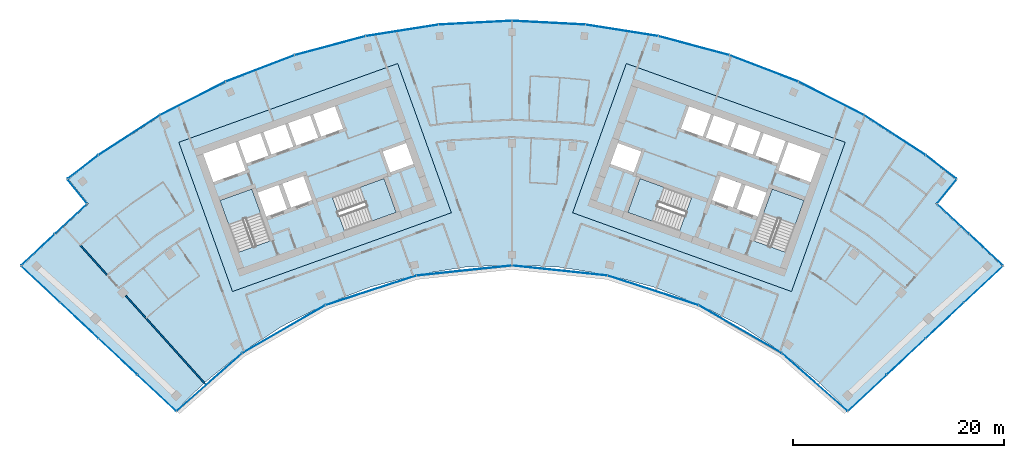
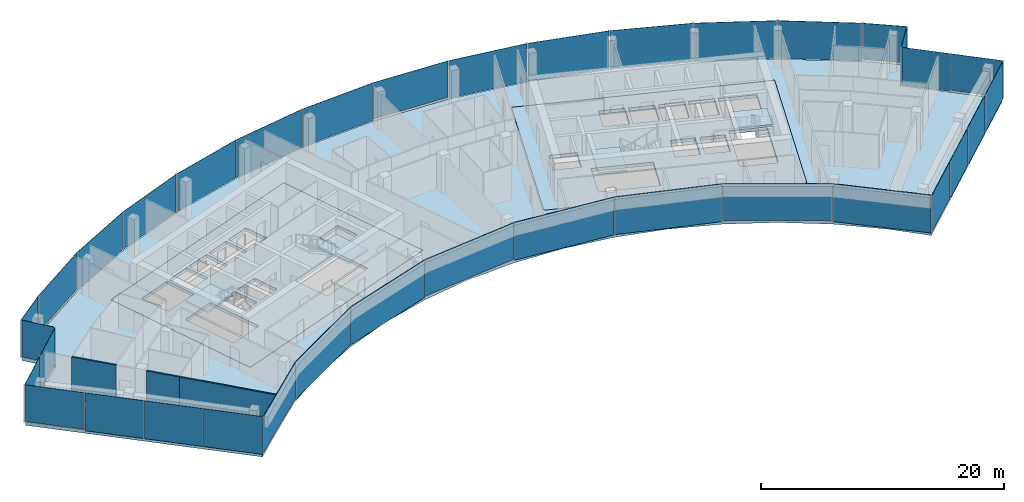
# One storey, part 11 of 18: 36 plates, 7 slabs, 3 walls, 12 elements without a shape of their own.
"""IFC4 building model written with IfcOpenShell, lengths in metres."""

from ifc_helpers import new_model, si_unit, direction, frame, frame_2d, origin, origin_2d, place, context, subcontext, project, spatial, polyline, rectangle, outline, extrude, material, layer, layer_set, type_object, element, aggregate, save


model = new_model("IFC4")

# Units and contexts
model_context = context("Model", 3, precision=1e-05, world=origin(), true_north=direction((0.0, 1.0)))
body_context = subcontext(model_context, "Body", "Model", "MODEL_VIEW")
ifc_project = project(units=[si_unit("LENGTHUNIT", "METRE"), si_unit("AREAUNIT", "SQUARE_METRE"), si_unit("VOLUMEUNIT", "CUBIC_METRE"), si_unit("PLANEANGLEUNIT", "RADIAN"), si_unit("MASSUNIT", "GRAM", prefix="KILO")], contexts=[model_context])

# Site, building, storey
site_placement = place(None, origin())
site = spatial("IfcSite", under=ifc_project, at=site_placement, CompositionType="ELEMENT")
building_placement = place(site_placement, origin())
building = spatial("IfcBuilding", under=site, at=building_placement, Name="Stone Belt Terrace Tower", CompositionType="ELEMENT")
storey_placement = place(building_placement, frame((0.0, 0.0, 273.199951171875)))
storey = spatial("IfcBuildingStorey", under=building, at=storey_placement, Name="L66", CompositionType="ELEMENT", Elevation=273.199951171875)

# Curtain wall, plates
ifc_material_1 = material(Name="Aluminium 6063-T6 anodised frame", Category="aluminium")
ifc_layer_1 = layer(ifc_material_1, 0.14990234375)
ifc_layer_set_1 = layer_set([ifc_layer_1], Name="CW-A unitised convex-face curtain wall")
curtain_wall_type_1 = type_object("IfcCurtainWallType", Name="CW-A unitised convex-face curtain wall", PredefinedType="NOTDEFINED", material=ifc_layer_set_1)
curtain_wall_1_placement = place(storey_placement, origin())
curtain_wall_1 = element("IfcCurtainWall", 1, at=curtain_wall_1_placement, inside=storey, type_object=curtain_wall_type_1, Name="CW-A convex face L66", PredefinedType="NOTDEFINED")
ifc_material_2 = material(Name="Clear double glazed unit")
ifc_layer_2 = layer(ifc_material_2, 0.031982421875)
ifc_layer_set_2 = layer_set([ifc_layer_2], Name="CW-A glass panel 32")
plate_type_1 = type_object("IfcPlateType", Name="CW-A glass panel 32", PredefinedType="CURTAIN_PANEL", material=ifc_layer_set_2)
plate_1_placement = place(storey_placement, frame((40.583251953125, 52.744140625, 0.14013671875), z_axis=(0.0, 0.0, 1.0), x_axis=(-0.792693871824, 0.60961990254, 0.0)))
plate_1 = element("IfcPlate", 2, at=plate_1_placement, type_object=plate_type_1, Name="CW-A panel 1.1", PredefinedType="CURTAIN_PANEL", context=body_context, shape_type="SweptSolid", body=[
    extrude(rectangle(XDim=3.597900390625, YDim=0.031982421875, at=origin_2d()), origin(), (0.0, 0.0, 1.0), 3.659912109375),
])
plate_2_placement = place(storey_placement, frame((36.209716796875, 55.758056640625, 0.0), z_axis=(0.0, 0.0, 1.0), x_axis=(-0.838670567945, 0.544639035015, 0.0)))
plate_2 = element("IfcPlate", 3, at=plate_2_placement, type_object=plate_type_1, Name="CW-A panel 2.1", PredefinedType="CURTAIN_PANEL", context=body_context, shape_type="SweptSolid", body=[
    extrude(rectangle(XDim=6.900634765625, YDim=0.031982421875, at=origin_2d()), origin(), (0.0, 0.0, 1.0), 3.800048828125),
])
plate_3_placement = place(storey_placement, frame((30.18310546875, 59.237548828125, 0.0), z_axis=(0.0, 0.0, 1.0), x_axis=(-0.891006524188, 0.45399049974, 0.0)))
plate_3 = element("IfcPlate", 4, at=plate_3_placement, type_object=plate_type_1, Name="CW-A panel 3.1", PredefinedType="CURTAIN_PANEL", context=body_context, shape_type="SweptSolid", body=[
    extrude(rectangle(XDim=6.90087890625, YDim=0.031982421875, at=origin_2d()), origin(), (0.0, 0.0, 1.0), 3.800048828125),
])
plate_4_placement = place(storey_placement, frame((23.82568359375, 62.068115234375, 0.0), z_axis=(0.0, 0.0, 1.0), x_axis=(-0.933580426497, 0.358367949545, 0.0)))
plate_4 = element("IfcPlate", 5, at=plate_4_placement, type_object=plate_type_1, Name="CW-A panel 4.1", PredefinedType="CURTAIN_PANEL", context=body_context, shape_type="SweptSolid", body=[
    extrude(rectangle(XDim=6.90087890625, YDim=0.031982421875, at=origin_2d()), origin(), (0.0, 0.0, 1.0), 3.800048828125),
])
plate_5_placement = place(storey_placement, frame((17.207275390625, 64.218505859375, 0.0), z_axis=(0.0, 0.0, 1.0), x_axis=(-0.965925826289, 0.258819045103, 0.0)))
plate_5 = element("IfcPlate", 6, at=plate_5_placement, type_object=plate_type_1, Name="CW-A panel 5.1", PredefinedType="CURTAIN_PANEL", context=body_context, shape_type="SweptSolid", body=[
    extrude(rectangle(XDim=6.90087890625, YDim=0.031982421875, at=origin_2d()), origin(), (0.0, 0.0, 1.0), 3.800048828125),
])
plate_6_placement = place(storey_placement, frame((10.400390625, 65.665283203125, 0.0), z_axis=(0.0, 0.0, 1.0), x_axis=(-0.987688340595, 0.15643446504, 0.0)))
plate_6 = element("IfcPlate", 7, at=plate_6_placement, type_object=plate_type_1, Name="CW-A panel 6.1", PredefinedType="CURTAIN_PANEL", context=body_context, shape_type="SweptSolid", body=[
    extrude(rectangle(XDim=6.90087890625, YDim=0.031982421875, at=origin_2d()), origin(), (0.0, 0.0, 1.0), 3.800048828125),
])
plate_7_placement = place(storey_placement, frame((3.4794921875, 66.392822265625, 0.14013671875), z_axis=(0.0, 0.0, 1.0), x_axis=(-0.998629534755, 0.052335956243, 0.0)))
plate_7 = element("IfcPlate", 8, at=plate_7_placement, type_object=plate_type_1, Name="CW-A panel 7.1", PredefinedType="CURTAIN_PANEL", context=body_context, shape_type="SweptSolid", body=[
    extrude(rectangle(XDim=6.90087890625, YDim=0.031982421875, at=origin_2d()), origin(), (0.0, 0.0, 1.0), 3.659912109375),
])
plate_8_placement = place(storey_placement, frame((-3.4794921875, 66.392822265625, 0.0), z_axis=(0.0, 0.0, 1.0), x_axis=(-0.998629534755, -0.052335956243, 0.0)))
plate_8 = element("IfcPlate", 9, at=plate_8_placement, type_object=plate_type_1, Name="CW-A panel 8.1", PredefinedType="CURTAIN_PANEL", context=body_context, shape_type="SweptSolid", body=[
    extrude(rectangle(XDim=6.90087890625, YDim=0.031982421875, at=origin_2d()), origin(), (0.0, 0.0, 1.0), 3.800048828125),
])
plate_9_placement = place(storey_placement, frame((-10.400390625, 65.665283203125, 0.0), z_axis=(0.0, 0.0, 1.0), x_axis=(-0.987688340595, -0.15643446504, 0.0)))
plate_9 = element("IfcPlate", 10, at=plate_9_placement, type_object=plate_type_1, Name="CW-A panel 9.1", PredefinedType="CURTAIN_PANEL", context=body_context, shape_type="SweptSolid", body=[
    extrude(rectangle(XDim=6.90087890625, YDim=0.031982421875, at=origin_2d()), origin(), (0.0, 0.0, 1.0), 3.800048828125),
])
plate_10_placement = place(storey_placement, frame((-17.207275390625, 64.218505859375, 0.0), z_axis=(0.0, 0.0, 1.0), x_axis=(-0.965925826289, -0.258819045103, 0.0)))
plate_10 = element("IfcPlate", 11, at=plate_10_placement, type_object=plate_type_1, Name="CW-A panel 10.1", PredefinedType="CURTAIN_PANEL", context=body_context, shape_type="SweptSolid", body=[
    extrude(rectangle(XDim=6.90087890625, YDim=0.031982421875, at=origin_2d()), origin(), (0.0, 0.0, 1.0), 3.800048828125),
])
plate_11_placement = place(storey_placement, frame((-23.82568359375, 62.068115234375, 0.0), z_axis=(0.0, 0.0, 1.0), x_axis=(-0.933580426497, -0.358367949545, 0.0)))
plate_11 = element("IfcPlate", 12, at=plate_11_placement, type_object=plate_type_1, Name="CW-A panel 11.1", PredefinedType="CURTAIN_PANEL", context=body_context, shape_type="SweptSolid", body=[
    extrude(rectangle(XDim=6.90087890625, YDim=0.031982421875, at=origin_2d()), origin(), (0.0, 0.0, 1.0), 3.800048828125),
])
plate_12_placement = place(storey_placement, frame((-30.18310546875, 59.237548828125, 0.0), z_axis=(0.0, 0.0, 1.0), x_axis=(-0.891006524188, -0.45399049974, 0.0)))
plate_12 = element("IfcPlate", 13, at=plate_12_placement, type_object=plate_type_1, Name="CW-A panel 12.1", PredefinedType="CURTAIN_PANEL", context=body_context, shape_type="SweptSolid", body=[
    extrude(rectangle(XDim=6.90087890625, YDim=0.031982421875, at=origin_2d()), origin(), (0.0, 0.0, 1.0), 3.800048828125),
])
plate_13_placement = place(storey_placement, frame((-36.209716796875, 55.758056640625, 0.14013671875), z_axis=(0.0, 0.0, 1.0), x_axis=(-0.838670567945, -0.544639035015, 0.0)))
plate_13 = element("IfcPlate", 14, at=plate_13_placement, type_object=plate_type_1, Name="CW-A panel 13.1", PredefinedType="CURTAIN_PANEL", context=body_context, shape_type="SweptSolid", body=[
    extrude(rectangle(XDim=6.900634765625, YDim=0.031982421875, at=origin_2d()), origin(), (0.0, 0.0, 1.0), 3.659912109375),
])
plate_14_placement = place(storey_placement, frame((-40.583251953125, 52.744140625, 0.0), z_axis=(0.0, 0.0, 1.0), x_axis=(-0.792693871824, -0.60961990254, 0.0)))
plate_14 = element("IfcPlate", 15, at=plate_14_placement, type_object=plate_type_1, Name="CW-A panel 14.1", PredefinedType="CURTAIN_PANEL", context=body_context, shape_type="SweptSolid", body=[
    extrude(rectangle(XDim=3.597900390625, YDim=0.031982421875, at=origin_2d()), origin(), (0.0, 0.0, 1.0), 3.800048828125),
])
aggregate(curtain_wall_1, [plate_1, plate_2, plate_3, plate_4, plate_5, plate_6, plate_7, plate_8, plate_9, plate_10, plate_11, plate_12, plate_13, plate_14])

ifc_layer_3 = layer(ifc_material_1, 0.14990234375)
ifc_layer_set_3 = layer_set([ifc_layer_3], Name="CW-B unitised concave-face curtain wall")
curtain_wall_type_2 = type_object("IfcCurtainWallType", Name="CW-B unitised concave-face curtain wall", PredefinedType="NOTDEFINED", material=ifc_layer_set_3)
curtain_wall_2_placement = place(storey_placement, origin())
curtain_wall_2 = element("IfcCurtainWall", 16, at=curtain_wall_2_placement, inside=storey, type_object=curtain_wall_type_2, Name="CW-B concave face L66", PredefinedType="NOTDEFINED")
ifc_layer_4 = layer(ifc_material_2, 0.030029296875)
ifc_layer_set_4 = layer_set([ifc_layer_4], Name="CW-B glass panel 30")
plate_type_2 = type_object("IfcPlateType", Name="CW-B glass panel 30", PredefinedType="CURTAIN_PANEL", material=ifc_layer_set_4)
plate_15_placement = place(storey_placement, frame((-28.624755859375, 32.39404296875, 0.1201171875), z_axis=(0.0, 0.0, 1.0), x_axis=(0.749658646805, 0.661824684694, 0.0)))
plate_15 = element("IfcPlate", 17, at=plate_15_placement, type_object=plate_type_2, Name="CW-B panel 1.1", PredefinedType="CURTAIN_PANEL", context=body_context, shape_type="SweptSolid", body=[
    extrude(rectangle(XDim=8.2060546875, YDim=0.030029296875, at=origin_2d()), origin(), (0.0, 0.0, 1.0), 3.679931640625),
])
plate_16_placement = place(storey_placement, frame((-21.59375, 37.400634765625, 0.0), z_axis=(0.0, 0.0, 1.0), x_axis=(0.866025403784, 0.5, 0.0)))
plate_16 = element("IfcPlate", 18, at=plate_16_placement, type_object=plate_type_2, Name="CW-B panel 2.1", PredefinedType="CURTAIN_PANEL", context=body_context, shape_type="SweptSolid", body=[
    extrude(rectangle(XDim=9.013427734375, YDim=0.030029296875, at=origin_2d()), origin(), (0.0, 0.0, 1.0), 3.800048828125),
])
plate_17_placement = place(storey_placement, frame((-13.345458984375, 41.072998046875, 0.0), z_axis=(0.0, 0.0, 1.0), x_axis=(0.951056516295, 0.309016994375, 0.0)))
plate_17 = element("IfcPlate", 19, at=plate_17_placement, type_object=plate_type_2, Name="CW-B panel 3.1", PredefinedType="CURTAIN_PANEL", context=body_context, shape_type="SweptSolid", body=[
    extrude(rectangle(XDim=9.0126953125, YDim=0.030029296875, at=origin_2d()), origin(), (0.0, 0.0, 1.0), 3.800048828125),
])
plate_18_placement = place(storey_placement, frame((-4.51416015625, 42.9501953125, 0.1201171875), z_axis=(0.0, 0.0, 1.0), x_axis=(0.994521895368, 0.104528463268, 0.0)))
plate_18 = element("IfcPlate", 20, at=plate_18_placement, type_object=plate_type_2, Name="CW-B panel 4.1", PredefinedType="CURTAIN_PANEL", context=body_context, shape_type="SweptSolid", body=[
    extrude(rectangle(XDim=9.0126953125, YDim=0.030029296875, at=origin_2d()), origin(), (0.0, 0.0, 1.0), 3.679931640625),
])
plate_19_placement = place(storey_placement, frame((4.51416015625, 42.9501953125, 0.0), z_axis=(0.0, 0.0, 1.0), x_axis=(0.994521895368, -0.104528463268, 0.0)))
plate_19 = element("IfcPlate", 21, at=plate_19_placement, type_object=plate_type_2, Name="CW-B panel 5.1", PredefinedType="CURTAIN_PANEL", context=body_context, shape_type="SweptSolid", body=[
    extrude(rectangle(XDim=9.0126953125, YDim=0.030029296875, at=origin_2d()), origin(), (0.0, 0.0, 1.0), 3.800048828125),
])
plate_20_placement = place(storey_placement, frame((13.345458984375, 41.072998046875, 0.0), z_axis=(0.0, 0.0, 1.0), x_axis=(0.951056516295, -0.309016994375, 0.0)))
plate_20 = element("IfcPlate", 22, at=plate_20_placement, type_object=plate_type_2, Name="CW-B panel 6.1", PredefinedType="CURTAIN_PANEL", context=body_context, shape_type="SweptSolid", body=[
    extrude(rectangle(XDim=9.0126953125, YDim=0.030029296875, at=origin_2d()), origin(), (0.0, 0.0, 1.0), 3.800048828125),
])
plate_21_placement = place(storey_placement, frame((21.59375, 37.400634765625, 0.1201171875), z_axis=(0.0, 0.0, 1.0), x_axis=(0.866025403784, -0.5, 0.0)))
plate_21 = element("IfcPlate", 23, at=plate_21_placement, type_object=plate_type_2, Name="CW-B panel 7.1", PredefinedType="CURTAIN_PANEL", context=body_context, shape_type="SweptSolid", body=[
    extrude(rectangle(XDim=9.013427734375, YDim=0.030029296875, at=origin_2d()), origin(), (0.0, 0.0, 1.0), 3.679931640625),
])
plate_22_placement = place(storey_placement, frame((28.624755859375, 32.39404296875, 0.0), z_axis=(0.0, 0.0, 1.0), x_axis=(0.749658646805, -0.661824684694, 0.0)))
plate_22 = element("IfcPlate", 24, at=plate_22_placement, type_object=plate_type_2, Name="CW-B panel 8.1", PredefinedType="CURTAIN_PANEL", context=body_context, shape_type="SweptSolid", body=[
    extrude(rectangle(XDim=8.2060546875, YDim=0.030029296875, at=origin_2d()), origin(), (0.0, 0.0, 1.0), 3.800048828125),
])
aggregate(curtain_wall_2, [plate_15, plate_16, plate_17, plate_18, plate_19, plate_20, plate_21, plate_22])

ifc_layer_5 = layer(ifc_material_1, 0.14990234375)
ifc_layer_set_5 = layer_set([ifc_layer_5], Name="CW-C stick curtain wall, horn ends and notches")
curtain_wall_type_3 = type_object("IfcCurtainWallType", Name="CW-C stick curtain wall, horn ends and notches", PredefinedType="NOTDEFINED", material=ifc_layer_set_5)
curtain_wall_3_placement = place(storey_placement, origin())
curtain_wall_3 = element("IfcCurtainWall", 25, at=curtain_wall_3_placement, inside=storey, type_object=curtain_wall_type_3, Name="CW-C end face L66", PredefinedType="NOTDEFINED")
ifc_layer_6 = layer(ifc_material_2, 0.028076171875)
ifc_layer_set_6 = layer_set([ifc_layer_6], Name="CW-C glass panel 28")
plate_type_3 = type_object("IfcPlateType", Name="CW-C glass panel 28", PredefinedType="CURTAIN_PANEL", material=ifc_layer_set_6)
plate_23_placement = place(storey_placement, frame((33.617431640625, 31.3798828125, 0.1201171875), z_axis=(0.0, 0.0, 1.0), x_axis=(0.729904219708, 0.683549434973, 0.0)))
plate_23 = element("IfcPlate", 26, at=plate_23_placement, type_object=plate_type_3, Name="CW-C panel 1.1", PredefinedType="CURTAIN_PANEL", context=body_context, shape_type="SweptSolid", body=[
    extrude(rectangle(XDim=4.965576171875, YDim=0.028076171875, at=origin_2d()), origin(), (0.0, 0.0, 1.0), 3.679931640625),
])
plate_24_placement = place(storey_placement, frame((37.2763671875, 34.806396484375, 0.0), z_axis=(0.0, 0.0, 1.0), x_axis=(0.729904219708, 0.683549434973, 0.0)))
plate_24 = element("IfcPlate", 27, at=plate_24_placement, type_object=plate_type_3, Name="CW-C panel 2.1", PredefinedType="CURTAIN_PANEL", context=body_context, shape_type="SweptSolid", body=[
    extrude(rectangle(XDim=4.93994140625, YDim=0.028076171875, at=origin_2d()), origin(), (0.0, 0.0, 1.0), 3.800048828125),
])
plate_25_placement = place(storey_placement, frame((40.92578125, 38.22412109375, 0.0), z_axis=(0.0, 0.0, 1.0), x_axis=(0.729904219708, 0.683549434973, 0.0)))
plate_25 = element("IfcPlate", 28, at=plate_25_placement, type_object=plate_type_3, Name="CW-C panel 3.1", PredefinedType="CURTAIN_PANEL", context=body_context, shape_type="SweptSolid", body=[
    extrude(rectangle(XDim=4.93994140625, YDim=0.028076171875, at=origin_2d()), origin(), (0.0, 0.0, 1.0), 3.800048828125),
])
plate_26_placement = place(storey_placement, frame((44.588134765625, 41.65380859375, 0.0), z_axis=(0.0, 0.0, 1.0), x_axis=(0.729904219708, 0.683549434973, 0.0)))
plate_26 = element("IfcPlate", 29, at=plate_26_placement, type_object=plate_type_3, Name="CW-C panel 4.1", PredefinedType="CURTAIN_PANEL", context=body_context, shape_type="SweptSolid", body=[
    extrude(rectangle(XDim=4.974853515625, YDim=0.028076171875, at=origin_2d()), origin(), (0.0, 0.0, 1.0), 3.800048828125),
])
aggregate(curtain_wall_3, [plate_23, plate_24, plate_25, plate_26])

curtain_wall_4_placement = place(storey_placement, origin())
curtain_wall_4 = element("IfcCurtainWall", 30, at=curtain_wall_4_placement, inside=storey, type_object=curtain_wall_type_3, Name="CW-C notch face L66", PredefinedType="NOTDEFINED")
plate_27_placement = place(storey_placement, frame((44.8427734375, 44.91259765625, 0.1201171875), z_axis=(0.0, 0.0, 1.0), x_axis=(-0.731339333871, 0.682013767261, 0.0)))
plate_27 = element("IfcPlate", 31, at=plate_27_placement, type_object=plate_type_3, Name="CW-C panel 1.1", PredefinedType="CURTAIN_PANEL", context=body_context, shape_type="SweptSolid", body=[
    extrude(rectangle(XDim=4.268798828125, YDim=0.028076171875, at=origin_2d()), origin(), (0.0, 0.0, 1.0), 3.679931640625),
])
plate_28_placement = place(storey_placement, frame((41.731201171875, 47.814208984375, 0.0), z_axis=(0.0, 0.0, 1.0), x_axis=(-0.731339333871, 0.682013767261, 0.0)))
plate_28 = element("IfcPlate", 32, at=plate_28_placement, type_object=plate_type_3, Name="CW-C panel 2.1", PredefinedType="CURTAIN_PANEL", context=body_context, shape_type="SweptSolid", body=[
    extrude(rectangle(XDim=4.12060546875, YDim=0.028076171875, at=origin_2d()), origin(), (0.0, 0.0, 1.0), 3.800048828125),
])
aggregate(curtain_wall_4, [plate_27, plate_28])

# Curtain wall, plate
curtain_wall_5_placement = place(storey_placement, origin())
curtain_wall_5 = element("IfcCurtainWall", 33, at=curtain_wall_5_placement, inside=storey, type_object=curtain_wall_type_3, Name="CW-C notch face L66", PredefinedType="NOTDEFINED")
plate_29_placement = place(storey_placement, frame((41.119140625, 50.43505859375, 0.1201171875), z_axis=(0.0, 0.0, 1.0), x_axis=(0.631001485542, 0.775781622136, 0.0)))
plate_29 = element("IfcPlate", 34, at=plate_29_placement, type_object=plate_type_3, Name="CW-C panel 1.1", PredefinedType="CURTAIN_PANEL", context=body_context, shape_type="SweptSolid", body=[
    extrude(rectangle(XDim=2.859130859375, YDim=0.028076171875, at=origin_2d()), origin(), (0.0, 0.0, 1.0), 3.679931640625),
])
aggregate(curtain_wall_5, [plate_29])

curtain_wall_6_placement = place(storey_placement, origin())
curtain_wall_6 = element("IfcCurtainWall", 35, at=curtain_wall_6_placement, inside=storey, type_object=curtain_wall_type_3, Name="CW-C notch face L66", PredefinedType="NOTDEFINED")
plate_30_placement = place(storey_placement, frame((-41.119140625, 50.43505859375, 0.1201171875), z_axis=(0.0, 0.0, 1.0), x_axis=(0.631001485542, -0.775781622136, 0.0)))
plate_30 = element("IfcPlate", 36, at=plate_30_placement, type_object=plate_type_3, Name="CW-C panel 1.1", PredefinedType="CURTAIN_PANEL", context=body_context, shape_type="SweptSolid", body=[
    extrude(rectangle(XDim=2.859130859375, YDim=0.028076171875, at=origin_2d()), origin(), (0.0, 0.0, 1.0), 3.679931640625),
])
aggregate(curtain_wall_6, [plate_30])

# Curtain wall, plates
curtain_wall_7_placement = place(storey_placement, origin())
curtain_wall_7 = element("IfcCurtainWall", 37, at=curtain_wall_7_placement, inside=storey, type_object=curtain_wall_type_3, Name="CW-C notch face L66", PredefinedType="NOTDEFINED")
plate_31_placement = place(storey_placement, frame((-41.731201171875, 47.814208984375, 0.1201171875), z_axis=(0.0, 0.0, 1.0), x_axis=(-0.731339333871, -0.682013767261, 0.0)))
plate_31 = element("IfcPlate", 38, at=plate_31_placement, type_object=plate_type_3, Name="CW-C panel 1.1", PredefinedType="CURTAIN_PANEL", context=body_context, shape_type="SweptSolid", body=[
    extrude(rectangle(XDim=4.12060546875, YDim=0.028076171875, at=origin_2d()), origin(), (0.0, 0.0, 1.0), 3.679931640625),
])
plate_32_placement = place(storey_placement, frame((-44.8427734375, 44.91259765625, 0.0), z_axis=(0.0, 0.0, 1.0), x_axis=(-0.731339333871, -0.682013767261, 0.0)))
plate_32 = element("IfcPlate", 39, at=plate_32_placement, type_object=plate_type_3, Name="CW-C panel 2.1", PredefinedType="CURTAIN_PANEL", context=body_context, shape_type="SweptSolid", body=[
    extrude(rectangle(XDim=4.268798828125, YDim=0.028076171875, at=origin_2d()), origin(), (0.0, 0.0, 1.0), 3.800048828125),
])
aggregate(curtain_wall_7, [plate_31, plate_32])

curtain_wall_8_placement = place(storey_placement, origin())
curtain_wall_8 = element("IfcCurtainWall", 40, at=curtain_wall_8_placement, inside=storey, type_object=curtain_wall_type_3, Name="CW-C end face L66", PredefinedType="NOTDEFINED")
plate_33_placement = place(storey_placement, frame((-44.588134765625, 41.65380859375, 0.1201171875), z_axis=(0.0, 0.0, 1.0), x_axis=(0.729904219708, -0.683549434973, 0.0)))
plate_33 = element("IfcPlate", 41, at=plate_33_placement, type_object=plate_type_3, Name="CW-C panel 1.1", PredefinedType="CURTAIN_PANEL", context=body_context, shape_type="SweptSolid", body=[
    extrude(rectangle(XDim=4.974853515625, YDim=0.028076171875, at=origin_2d()), origin(), (0.0, 0.0, 1.0), 3.679931640625),
])
plate_34_placement = place(storey_placement, frame((-40.92578125, 38.22412109375, 0.0), z_axis=(0.0, 0.0, 1.0), x_axis=(0.729904219708, -0.683549434973, 0.0)))
plate_34 = element("IfcPlate", 42, at=plate_34_placement, type_object=plate_type_3, Name="CW-C panel 2.1", PredefinedType="CURTAIN_PANEL", context=body_context, shape_type="SweptSolid", body=[
    extrude(rectangle(XDim=4.93994140625, YDim=0.028076171875, at=origin_2d()), origin(), (0.0, 0.0, 1.0), 3.800048828125),
])
plate_35_placement = place(storey_placement, frame((-37.2763671875, 34.806396484375, 0.0), z_axis=(0.0, 0.0, 1.0), x_axis=(0.729904219708, -0.683549434973, 0.0)))
plate_35 = element("IfcPlate", 43, at=plate_35_placement, type_object=plate_type_3, Name="CW-C panel 3.1", PredefinedType="CURTAIN_PANEL", context=body_context, shape_type="SweptSolid", body=[
    extrude(rectangle(XDim=4.93994140625, YDim=0.028076171875, at=origin_2d()), origin(), (0.0, 0.0, 1.0), 3.800048828125),
])
plate_36_placement = place(storey_placement, frame((-33.617431640625, 31.3798828125, 0.0), z_axis=(0.0, 0.0, 1.0), x_axis=(0.729904219708, -0.683549434973, 0.0)))
plate_36 = element("IfcPlate", 44, at=plate_36_placement, type_object=plate_type_3, Name="CW-C panel 4.1", PredefinedType="CURTAIN_PANEL", context=body_context, shape_type="SweptSolid", body=[
    extrude(rectangle(XDim=4.965576171875, YDim=0.028076171875, at=origin_2d()), origin(), (0.0, 0.0, 1.0), 3.800048828125),
])
aggregate(curtain_wall_8, [plate_33, plate_34, plate_35, plate_36])

# Slabs
ifc_material_3 = material(Name="Concrete B40", Category="concrete")
ifc_layer_7 = layer(ifc_material_3, 0.320068359375)
ifc_layer_set_7 = layer_set([ifc_layer_7], Name="Core floor slab 320")
slab_type_1 = type_object("IfcSlabType", Name="Core floor slab 320", PredefinedType="FLOOR", material=ifc_layer_set_7)
slab_1_placement = place(storey_placement, frame((0.0, 0.0, -0.320068359375)))
element("IfcSlab", 45, at=slab_1_placement, inside=storey, type_object=slab_type_1, Name="Core A floor L66", PredefinedType="FLOOR", context=body_context, shape_type="SweptSolid", body=[
    extrude(outline(polyline([(-26.43505859375, 40.968994140625), (-5.735107421875, 48.4189453125), (-10.81396484375, 62.531982421875), (-31.513916015625, 55.0830078125), (-26.43505859375, 40.968994140625)]), holes=[polyline([(-24.60791015625, 50.659912109375), (-22.847900390625, 45.76806640625), (-25.85888671875, 44.68408203125), (-27.618896484375, 49.575927734375), (-24.60791015625, 50.659912109375)]), polyline([(-10.955078125, 48.452880859375), (-15.846923828125, 46.69189453125), (-16.998046875, 49.89208984375), (-12.10595703125, 51.652099609375), (-10.955078125, 48.452880859375)]), polyline([(-22.0869140625, 51.035888671875), (-21.27392578125, 48.778076171875), (-23.25, 48.06689453125), (-24.06298828125, 50.324951171875), (-22.0869140625, 51.035888671875)]), polyline([(-18.922119140625, 49.6240234375), (-20.89794921875, 48.9130859375), (-21.7109375, 51.1708984375), (-19.735107421875, 51.883056640625), (-18.922119140625, 49.6240234375)]), polyline([(-29.2109375, 53.9990234375), (-26.153076171875, 55.09912109375), (-25.18798828125, 52.41796875), (-28.24609375, 51.31689453125), (-29.2109375, 53.9990234375)]), polyline([(-10.01904296875, 55.007080078125), (-9.30810546875, 53.031005859375), (-11.51904296875, 52.235107421875), (-12.22998046875, 54.2109375), (-10.01904296875, 55.007080078125)]), polyline([(-25.87109375, 55.200927734375), (-23.801025390625, 55.946044921875), (-23.0390625, 53.8291015625), (-25.10888671875, 53.083984375), (-25.87109375, 55.200927734375)]), polyline([(-23.51806640625, 56.047119140625), (-21.447998046875, 56.7919921875), (-20.68603515625, 54.675048828125), (-22.756103515625, 53.929931640625), (-23.51806640625, 56.047119140625)]), polyline([(-19.095947265625, 57.638916015625), (-18.333984375, 55.52197265625), (-20.404052734375, 54.777099609375), (-21.166015625, 56.89404296875), (-19.095947265625, 57.638916015625)]), polyline([(-16.743896484375, 58.485107421875), (-15.98193359375, 56.367919921875), (-18.052001953125, 55.623046875), (-18.81396484375, 57.739990234375), (-16.743896484375, 58.485107421875)])]), origin(), (0.0, 0.0, 1.0), 0.320068359375),
])
slab_2_placement = place(storey_placement, frame((0.0, 0.0, -0.320068359375)))
element("IfcSlab", 46, at=slab_2_placement, inside=storey, type_object=slab_type_1, Name="Core B floor L66", PredefinedType="FLOOR", context=body_context, shape_type="SweptSolid", body=[
    extrude(outline(polyline([(26.43505859375, 40.968994140625), (31.513916015625, 55.0830078125), (10.81396484375, 62.531982421875), (5.735107421875, 48.4189453125), (26.43505859375, 40.968994140625)]), holes=[polyline([(27.618896484375, 49.575927734375), (25.85888671875, 44.68408203125), (22.847900390625, 45.76806640625), (24.60791015625, 50.659912109375), (27.618896484375, 49.575927734375)]), polyline([(12.10595703125, 51.652099609375), (16.998046875, 49.89208984375), (15.846923828125, 46.69189453125), (10.955078125, 48.452880859375), (12.10595703125, 51.652099609375)]), polyline([(23.25, 48.06689453125), (21.27392578125, 48.778076171875), (22.0869140625, 51.035888671875), (24.06298828125, 50.324951171875), (23.25, 48.06689453125)]), polyline([(18.922119140625, 49.6240234375), (19.735107421875, 51.883056640625), (21.7109375, 51.1708984375), (20.89794921875, 48.9130859375), (18.922119140625, 49.6240234375)]), polyline([(29.2109375, 53.9990234375), (28.24609375, 51.31689453125), (25.18798828125, 52.41796875), (26.153076171875, 55.09912109375), (29.2109375, 53.9990234375)]), polyline([(11.51904296875, 52.235107421875), (9.30810546875, 53.031005859375), (10.01904296875, 55.007080078125), (12.22998046875, 54.2109375), (11.51904296875, 52.235107421875)]), polyline([(23.0390625, 53.8291015625), (23.801025390625, 55.946044921875), (25.87109375, 55.200927734375), (25.10888671875, 53.083984375), (23.0390625, 53.8291015625)]), polyline([(20.68603515625, 54.675048828125), (21.447998046875, 56.7919921875), (23.51806640625, 56.047119140625), (22.756103515625, 53.929931640625), (20.68603515625, 54.675048828125)]), polyline([(19.095947265625, 57.638916015625), (21.166015625, 56.89404296875), (20.404052734375, 54.777099609375), (18.333984375, 55.52197265625), (19.095947265625, 57.638916015625)]), polyline([(16.743896484375, 58.485107421875), (18.81396484375, 57.739990234375), (18.052001953125, 55.623046875), (15.98193359375, 56.367919921875), (16.743896484375, 58.485107421875)])]), origin(), (0.0, 0.0, 1.0), 0.320068359375),
])
ifc_layer_8 = layer(ifc_material_3, 0.320068359375)
ifc_layer_set_8 = layer_set([ifc_layer_8], Name="Floor slab 320 B40")
slab_type_2 = type_object("IfcSlabType", Name="Floor slab 320 B40", PredefinedType="FLOOR", material=ifc_layer_set_8)
slab_3_placement = place(storey_placement, frame((0.0, 0.0, -0.320068359375)))
element("IfcSlab", 47, at=slab_3_placement, inside=storey, type_object=slab_type_2, Name="Floor slab L66", PredefinedType="FLOOR", context=body_context, shape_type="SweptSolid", body=[
    extrude(outline(polyline([(-40.068603515625, 49.26220703125), (-41.961669921875, 51.589599609375), (-39.087646484375, 53.799560546875), (-33.25, 57.5908203125), (-27.048095703125, 60.750732421875), (-20.549560546875, 63.245361328125), (-13.826171875, 65.046875), (-6.951171875, 66.1357421875), (0.0, 66.5), (6.951171875, 66.1357421875), (13.826171875, 65.046875), (20.549560546875, 63.245361328125), (27.048095703125, 60.750732421875), (33.25, 57.5908203125), (39.087646484375, 53.799560546875), (41.961669921875, 51.589599609375), (40.068603515625, 49.26220703125), (46.348876953125, 43.405517578125), (31.750732421875, 29.734375), (29.107177734375, 32.326904296875), (25.568603515625, 35.192138671875), (21.75, 37.672119140625), (17.693115234375, 39.7392578125), (13.442138671875, 41.37109375), (9.044189453125, 42.54931640625), (4.547119140625, 43.26171875), (0.0, 43.5), (-4.547119140625, 43.26171875), (-9.044189453125, 42.54931640625), (-13.442138671875, 41.37109375), (-17.693115234375, 39.7392578125), (-21.75, 37.672119140625), (-25.568603515625, 35.192138671875), (-29.107177734375, 32.326904296875), (-31.750732421875, 29.734375), (-46.348876953125, 43.405517578125), (-40.068603515625, 49.26220703125)]), holes=[polyline([(-10.81396484375, 62.532470703125), (-31.51416015625, 55.082763671875), (-26.434814453125, 40.968994140625), (-5.734619140625, 48.418701171875), (-10.81396484375, 62.532470703125)]), polyline([(26.434814453125, 40.968994140625), (31.51416015625, 55.082763671875), (10.81396484375, 62.532470703125), (5.734619140625, 48.418701171875), (26.434814453125, 40.968994140625)])]), origin(), (0.0, 0.0, 1.0), 0.320068359375),
])

# Stair, slab
stair_type = type_object("IfcStairType", Name="Exit stair 1500", PredefinedType="HALF_TURN_STAIR", material=ifc_material_3)
stair_1_placement = place(storey_placement, origin())
stair_1 = element("IfcStair", 48, at=stair_1_placement, inside=storey, type_object=stair_type, Name="L66 Exit stair 1 core A", PredefinedType="HALF_TURN_STAIR")
ifc_layer_9 = layer(ifc_material_3, 0.199951171875)
ifc_layer_set_9 = layer_set([ifc_layer_9], Name="Stair landing 200")
slab_type_3 = type_object("IfcSlabType", Name="Stair landing 200", PredefinedType="LANDING", material=ifc_layer_set_9)
slab_4_placement = place(storey_placement, frame((0.0, 0.0, 1.699951171875)))
slab_4 = element("IfcSlab", 49, at=slab_4_placement, type_object=slab_type_3, Name="ST1A landing 1", PredefinedType="LANDING", context=body_context, shape_type="SweptSolid", body=[
    extrude(outline(polyline([(-23.79541015625, 48.40087890625), (-24.6083984375, 50.659912109375), (-27.619384765625, 49.576171875), (-26.806396484375, 47.3173828125), (-23.79541015625, 48.40087890625)])), origin(), (0.0, 0.0, 1.0), 0.2001953125),
])
aggregate(stair_1, [slab_4])

stair_2_placement = place(storey_placement, origin())
stair_2 = element("IfcStair", 50, at=stair_2_placement, inside=storey, type_object=stair_type, Name="L66 Exit stair 2 core A", PredefinedType="HALF_TURN_STAIR")
slab_5_placement = place(storey_placement, frame((0.0, 0.0, 1.699951171875)))
slab_5 = element("IfcSlab", 51, at=slab_5_placement, type_object=slab_type_3, Name="ST2A landing 1", PredefinedType="LANDING", context=body_context, shape_type="SweptSolid", body=[
    extrude(outline(polyline([(-13.213623046875, 47.64013671875), (-10.95458984375, 48.453125), (-12.10595703125, 51.652099609375), (-14.36474609375, 50.839111328125), (-13.213623046875, 47.64013671875)])), origin(), (0.0, 0.0, 1.0), 0.2001953125),
])
aggregate(stair_2, [slab_5])

stair_3_placement = place(storey_placement, origin())
stair_3 = element("IfcStair", 52, at=stair_3_placement, inside=storey, type_object=stair_type, Name="L66 Exit stair 1 core B", PredefinedType="HALF_TURN_STAIR")
slab_6_placement = place(storey_placement, frame((0.0, 0.0, 1.699951171875)))
slab_6 = element("IfcSlab", 53, at=slab_6_placement, type_object=slab_type_3, Name="ST1B landing 1", PredefinedType="LANDING", context=body_context, shape_type="SweptSolid", body=[
    extrude(outline(polyline([(26.806396484375, 47.3173828125), (27.619384765625, 49.576171875), (24.6083984375, 50.659912109375), (23.79541015625, 48.40087890625), (26.806396484375, 47.3173828125)])), origin(), (0.0, 0.0, 1.0), 0.2001953125),
])
aggregate(stair_3, [slab_6])

stair_4_placement = place(storey_placement, origin())
stair_4 = element("IfcStair", 54, at=stair_4_placement, inside=storey, type_object=stair_type, Name="L66 Exit stair 2 core B", PredefinedType="HALF_TURN_STAIR")
slab_7_placement = place(storey_placement, frame((0.0, 0.0, 1.699951171875)))
slab_7 = element("IfcSlab", 55, at=slab_7_placement, type_object=slab_type_3, Name="ST2B landing 1", PredefinedType="LANDING", context=body_context, shape_type="SweptSolid", body=[
    extrude(outline(polyline([(14.36474609375, 50.839111328125), (12.10595703125, 51.652099609375), (10.95458984375, 48.453125), (13.213623046875, 47.64013671875), (14.36474609375, 50.839111328125)])), origin(), (0.0, 0.0, 1.0), 0.2001953125),
])
aggregate(stair_4, [slab_7])

# Walls
ifc_material_4 = material(Name="Gypsum board partition")
ifc_layer_10 = layer(ifc_material_4, 0.14990234375)
ifc_layer_set_10 = layer_set([ifc_layer_10], Name="PARTITION 150 EI 60")
wall_type = type_object("IfcWallType", Name="PARTITION 150 EI 60", PredefinedType="PARTITIONING", material=ifc_layer_set_10)
wall_1_placement = place(storey_placement, frame((-34.617919921875, 38.447021484375, 0.0), z_axis=(0.0, 0.0, 1.0), x_axis=(0.669076736043, -0.743193326993, 0.0)))
element("IfcWall", 56, at=wall_1_placement, inside=storey, type_object=wall_type, Name="L66/wall/i038", PredefinedType="PARTITIONING", context=body_context, shape_type="SweptSolid", body=[
    extrude(rectangle(XDim=8.429443359375, YDim=0.14990234375, at=frame_2d((4.21484375, 0.0))), origin(), (0.0, 0.0, 1.0), 3.47998046875),
])
wall_2_placement = place(storey_placement, frame((-36.514892578125, 40.552978515625, 0.0), z_axis=(0.0, 0.0, 1.0), x_axis=(0.66902634976, -0.7432386853, 0.0)))
element("IfcWall", 57, at=wall_2_placement, inside=storey, type_object=wall_type, Name="L66/wall/i039", PredefinedType="PARTITIONING", context=body_context, shape_type="SweptSolid", body=[
    extrude(rectangle(XDim=2.845703125, YDim=0.14990234375, at=frame_2d((1.4228515625, 0.0))), origin(), (0.0, 0.0, 1.0), 3.47998046875),
])
wall_3_placement = place(storey_placement, frame((-40.8359375, 45.35205078125, 0.0), z_axis=(0.0, 0.0, 1.0), x_axis=(0.669092192197, -0.743179411946, 0.0)))
element("IfcWall", 58, at=wall_3_placement, inside=storey, type_object=wall_type, Name="L66/wall/i041", PredefinedType="PARTITIONING", context=body_context, shape_type="SweptSolid", body=[
    extrude(rectangle(XDim=3.809326171875, YDim=0.14990234375, at=frame_2d((1.90478515625, 0.0))), origin(), (0.0, 0.0, 1.0), 3.47998046875),
])

save(model, "model.ifc")
